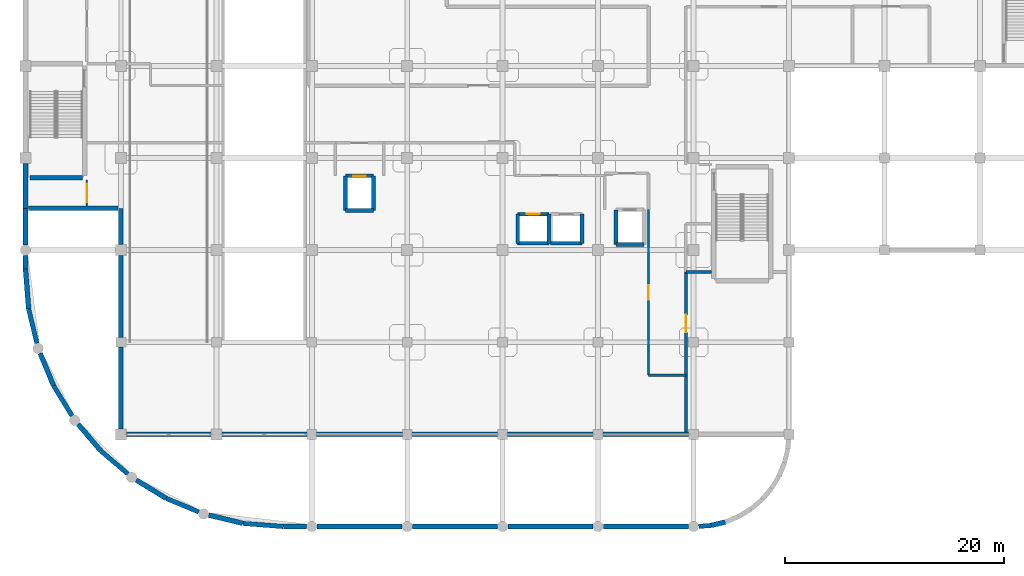
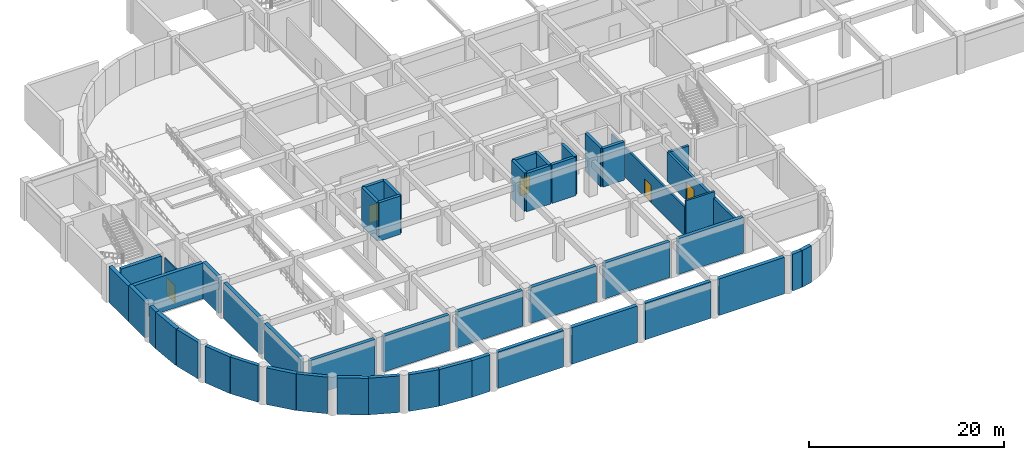
# One storey, part 10 of 19: 49 walls, 5 doors, 5 openings.
"""IFC4 building model written with IfcOpenShell, lengths in metres."""

from ifc_helpers import new_model, si_unit, derived_unit, direction, frame, frame_2d, origin, place, context, subcontext, project, spatial, rectangle, extrude, material, layer, layer_set, type_object, element, fill, save


model = new_model("IFC4")

# Units and contexts
model_context = context("Model", 3, precision=1e-05, world=origin(), true_north=direction((0.0, 1.0)))
body_context = subcontext(model_context, "Body", "Model", "MODEL_VIEW")
ifc_project = project(units=[si_unit("LENGTHUNIT", "METRE"), si_unit("AREAUNIT", "SQUARE_METRE"), si_unit("VOLUMEUNIT", "CUBIC_METRE"), si_unit("PLANEANGLEUNIT", "RADIAN"), si_unit("MASSUNIT", "GRAM", prefix="KILO"), derived_unit("THERMALTRANSMITTANCEUNIT", [(si_unit("MASSUNIT", "GRAM", prefix="KILO"), 1), (si_unit("TIMEUNIT", "SECOND"), -3), (si_unit("THERMODYNAMICTEMPERATUREUNIT", "KELVIN"), -1)])], contexts=[model_context])

# Site, building, storey
site_placement = place(None, origin())
site = spatial("IfcSite", under=ifc_project, at=site_placement, CompositionType="ELEMENT")
building_placement = place(site_placement, origin())
building = spatial("IfcBuilding", under=site, at=building_placement, Name="Qinzheling Arcade Emporium", CompositionType="ELEMENT")
storey_placement = place(building_placement, frame((0.0, 0.0, -4.800048828125)))
storey = spatial("IfcBuildingStorey", under=building, at=storey_placement, Name="B1", CompositionType="ELEMENT", Elevation=-4.800048828125)

# Wall
ifc_material_1 = material(Name="Double-stud acoustic gypsum board partition")
ifc_layer_1 = layer(ifc_material_1, 0.215087890625, Name="Double-stud acoustic gypsum board partition")
ifc_layer_set_1 = layer_set([ifc_layer_1], Name="Double-stud acoustic gypsum board partition")
wall_type_1 = type_object("IfcWallType", Name="Acoustic Corridor Partition Wall 215", PredefinedType="PARTITIONING", material=ifc_layer_set_1)
wall_1_placement = place(storey_placement, frame((60.199951171875, 13.800048828125, 0.0), z_axis=(0.0, 0.0, 1.0), x_axis=(-1.0, 0.0, 0.0)))
element("IfcWall", 1, at=wall_1_placement, inside=storey, type_object=wall_type_1, Name="Interior Wall WL-B1-INT-0026", PredefinedType="PARTITIONING", context=body_context, shape_type="SweptSolid", body=[
    extrude(rectangle(XDim=3.39990234375, YDim=0.215087890625, at=frame_2d((1.699951171875, 0.0))), origin(), (0.0, 0.0, 1.0), 4.43994140625),
])

# Wall, opening, door
wall_2_placement = place(storey_placement, frame((56.800048828125, 13.800048828125, 0.0), z_axis=(0.0, 0.0, 1.0), x_axis=(0.0, 1.0, 0.0)))
wall_2 = element("IfcWall", 2, at=wall_2_placement, inside=storey, type_object=wall_type_1, Name="Interior Wall WL-B1-INT-0027", PredefinedType="PARTITIONING", context=body_context, shape_type="SweptSolid", body=[
    extrude(rectangle(XDim=15.079833984375, YDim=0.215087890625, at=frame_2d((7.5400390625, 0.0))), origin(), (0.0, 0.0, 1.0), 3.650146484375),
])
opening_1_placement = place(wall_2_placement, frame((6.864990234375, 0.0, 0.0)))
opening_1 = element("IfcOpeningElement", 3, at=opening_1_placement, cuts=wall_2, Name="Opening FD05", PredefinedType="OPENING", context=body_context, shape_type="SweptSolid", body=[
    extrude(rectangle(XDim=1.35009765625, YDim=2.199951171875, at=frame_2d((0.675048828125, 1.10009765625))), frame((0.0, 0.11767578125, 0.0), z_axis=(0.0, -1.0, 0.0), x_axis=(1.0, 0.0, 0.0)), (0.0, 0.0, 1.0), 0.235107421875),
])
ifc_material_2 = material(Name="Class B fire-rated stainless-clad door")
door_type_1 = type_object("IfcDoorType", Name="Kitchen Fire-Rated Service Door 1350x2200", OperationType="NOTDEFINED", PredefinedType="DOOR", material=ifc_material_2)
door_1_placement = place(opening_1_placement, origin())
door_1 = element("IfcDoor", 4, at=door_1_placement, inside=storey, type_object=door_type_1, Name="FD05 Interior Door DR-B1-INT-0010", OperationType="SINGLE_SWING_RIGHT", OverallHeight=2.199951171875, OverallWidth=1.35009765625, PredefinedType="DOOR", context=body_context, shape_type="SweptSolid", body=[
    extrude(rectangle(XDim=1.35009765625, YDim=2.199951171875, at=frame_2d((0.675048828125, 1.10009765625))), frame((0.0, 0.02490234375, 0.0), z_axis=(0.0, -1.0, 0.0), x_axis=(1.0, 0.0, 0.0)), (0.0, 0.0, 1.0), 0.050048828125),
])
fill(opening_1, door_1)

ifc_material_3 = material(Name="Lightweight atelier partition")
ifc_layer_2 = layer(ifc_material_3, 0.14990234375, Name="Lightweight atelier partition")
ifc_layer_set_2 = layer_set([ifc_layer_2], Name="Lightweight atelier partition")
wall_type_2 = type_object("IfcWallType", Name="Atelier Partition Wall 150", PredefinedType="PARTITIONING", material=ifc_layer_set_2)
wall_3_placement = place(storey_placement, frame((5.590087890625, 31.60009765625, 0.0), z_axis=(0.0, 0.0, 1.0), x_axis=(0.0, -1.0, 0.0)))
wall_3 = element("IfcWall", 5, at=wall_3_placement, inside=storey, type_object=wall_type_2, Name="Interior Wall WL-B1-INT-0034", PredefinedType="PARTITIONING", context=body_context, shape_type="SweptSolid", body=[
    extrude(rectangle(XDim=2.39013671875, YDim=0.14990234375, at=frame_2d((1.195068359375, 0.0))), origin(), (0.0, 0.0, 1.0), 4.43994140625),
])
opening_2_placement = place(wall_3_placement, frame((0.344970703125, 0.0, 0.0)))
opening_2 = element("IfcOpeningElement", 6, at=opening_2_placement, cuts=wall_3, Name="Opening D14", PredefinedType="OPENING", context=body_context, shape_type="SweptSolid", body=[
    extrude(rectangle(XDim=1.699951171875, YDim=2.199951171875, at=frame_2d((0.85009765625, 1.10009765625))), frame((0.0, 0.0849609375, 0.0), z_axis=(0.0, -1.0, 0.0), x_axis=(1.0, 0.0, 0.0)), (0.0, 0.0, 1.0), 0.169921875),
])
ifc_material_4 = material(Name="Powder-coated steel utility door", Category="steel")
door_type_2 = type_object("IfcDoorType", Name="Bicycle Store Double Door 1700x2200", OperationType="DOUBLE_DOOR_SINGLE_SWING", PredefinedType="DOOR", material=ifc_material_4)
door_2_placement = place(opening_2_placement, origin())
door_2 = element("IfcDoor", 7, at=door_2_placement, inside=storey, type_object=door_type_2, Name="D14 Interior Door DR-B1-INT-0012", OperationType="DOUBLE_DOOR_SINGLE_SWING", OverallHeight=2.199951171875, OverallWidth=1.699951171875, PredefinedType="DOOR", context=body_context, shape_type="SweptSolid", body=[
    extrude(rectangle(XDim=1.699951171875, YDim=2.199951171875, at=frame_2d((0.85009765625, 1.10009765625))), frame((0.0, 0.02490234375, 0.0), z_axis=(0.0, -1.0, 0.0), x_axis=(1.0, 0.0, 0.0)), (0.0, 0.0, 1.0), 0.050048828125),
])
fill(opening_2, door_2)

# Walls
ifc_material_5 = material(Name="Concrete C40", Category="concrete")
ifc_layer_3 = layer(ifc_material_5, 0.419921875, Name="Concrete C40", Category="concrete")
ifc_layer_set_3 = layer_set([ifc_layer_3], Name="Concrete C40")
wall_type_3 = type_object("IfcWallType", Name="Basement Ramp Retaining Wall 420 C40", PredefinedType="USERDEFINED", material=ifc_layer_set_3)
wall_4_placement = place(storey_placement, frame((62.513916015625, 0.10302734375, 0.0), z_axis=(0.0, 0.0, 1.0), x_axis=(-0.996942630005, -0.078137010941, 0.0)))
element("IfcWall", 8, at=wall_4_placement, inside=storey, type_object=wall_type_3, Name="Retaining Wall WL-B1-RW-178", ObjectType="RETAININGWALL", PredefinedType="USERDEFINED", context=body_context, shape_type="SweptSolid", body=[
    extrude(rectangle(XDim=1.140380859375, YDim=0.419921875, at=frame_2d((0.5703125, 0.0))), origin(), (0.0, 0.0, 1.0), 4.580078125),
])
wall_5_placement = place(storey_placement, frame((51.722900390625, 0.0, 0.0), z_axis=(0.0, 0.0, 1.0), x_axis=(-1.0, 0.0, 0.0)))
element("IfcWall", 9, at=wall_5_placement, inside=storey, type_object=wall_type_3, Name="Retaining Wall WL-B1-RW-180", ObjectType="RETAININGWALL", PredefinedType="USERDEFINED", context=body_context, shape_type="SweptSolid", body=[
    extrude(rectangle(XDim=7.745849609375, YDim=0.419921875, at=frame_2d((3.873046875, 0.0))), origin(), (0.0, 0.0, 1.0), 4.580078125),
])
wall_6_placement = place(storey_placement, frame((34.322998046875, 0.0, 0.0), z_axis=(0.0, 0.0, 1.0), x_axis=(-1.0, 0.0, 0.0)))
element("IfcWall", 10, at=wall_6_placement, inside=storey, type_object=wall_type_3, Name="Retaining Wall WL-B1-RW-182", ObjectType="RETAININGWALL", PredefinedType="USERDEFINED", context=body_context, shape_type="SweptSolid", body=[
    extrude(rectangle(XDim=7.74609375, YDim=0.419921875, at=frame_2d((3.873046875, 0.0))), origin(), (0.0, 0.0, 1.0), 4.580078125),
])
wall_7_placement = place(storey_placement, frame((23.5, 0.0, 0.0), z_axis=(0.0, 0.0, 1.0), x_axis=(-0.996922570338, 0.078392529938, 0.0)))
element("IfcWall", 11, at=wall_7_placement, inside=storey, type_object=wall_type_3, Name="Retaining Wall WL-B1-RW-184", ObjectType="RETAININGWALL", PredefinedType="USERDEFINED", context=body_context, shape_type="SweptSolid", body=[
    extrude(rectangle(XDim=3.687255859375, YDim=0.419921875, at=frame_2d((1.84375, 0.0))), origin(), (0.0, 0.0, 1.0), 4.580078125),
])
for number, where, z_axis, x_axis, name in (
    (12, (15.797119140625, 1.3330078125, 0.0), (0.0, 0.0, 1.0), (-0.923940840617, 0.382535387958, 0.0), "Retaining Wall WL-B1-RW-186"),
    (13, (9.323974609375, 4.798095703125, 0.0), (0.0, 0.0, 1.0), (-0.760372113248, 0.64948768225, 0.0), "Retaining Wall WL-B1-RW-188"),
):
    element("IfcWall", number, at=place(storey_placement, frame(where, z_axis=z_axis, x_axis=x_axis)), inside=storey, type_object=wall_type_3, Name=name, ObjectType="RETAININGWALL", PredefinedType="USERDEFINED", context=body_context, shape_type="SweptSolid", body=[
        extrude(rectangle(XDim=3.210205078125, YDim=0.419921875, at=frame_2d((1.60498046875, 0.0))), origin(), (0.0, 0.0, 1.0), 4.580078125),
    ])
wall_8_placement = place(storey_placement, frame((4.239013671875, 10.093994140625, 0.0), z_axis=(0.0, 0.0, 1.0), x_axis=(-0.52265834778, 0.85254222857, 0.0)))
element("IfcWall", 14, at=wall_8_placement, inside=storey, type_object=wall_type_3, Name="Retaining Wall WL-B1-RW-190", ObjectType="RETAININGWALL", PredefinedType="USERDEFINED", context=body_context, shape_type="SweptSolid", body=[
    extrude(rectangle(XDim=3.21044921875, YDim=0.419921875, at=frame_2d((1.605224609375, 0.0))), origin(), (0.0, 0.0, 1.0), 4.580078125),
])
wall_9_placement = place(storey_placement, frame((1.0390625, 16.701904296875, 0.0), z_axis=(0.0, 0.0, 1.0), x_axis=(-0.233580002075, 0.972337586762, 0.0)))
element("IfcWall", 15, at=wall_9_placement, inside=storey, type_object=wall_type_3, Name="Retaining Wall WL-B1-RW-192", ObjectType="RETAININGWALL", PredefinedType="USERDEFINED", context=body_context, shape_type="SweptSolid", body=[
    extrude(rectangle(XDim=3.2109375, YDim=0.419921875, at=frame_2d((1.60546875, 0.0))), origin(), (0.0, 0.0, 1.0), 4.580078125),
])
wall_10_placement = place(storey_placement, frame((0.0, 23.5, 0.0), z_axis=(0.0, 0.0, 1.0), x_axis=(0.0, 1.0, 0.0)))
element("IfcWall", 16, at=wall_10_placement, inside=storey, type_object=wall_type_3, Name="Retaining Wall WL-B1-RW-194", ObjectType="RETAININGWALL", PredefinedType="USERDEFINED", context=body_context, shape_type="SweptSolid", body=[
    extrude(rectangle(XDim=1.222900390625, YDim=0.419921875, at=frame_2d((0.611328125, 0.0))), origin(), (0.0, 0.0, 1.0), 4.580078125),
])
wall_11_placement = place(storey_placement, frame((0.0, 29.0, 0.0), z_axis=(0.0, 0.0, 1.0), x_axis=(0.0, 1.0, 0.0)))
element("IfcWall", 17, at=wall_11_placement, inside=storey, type_object=wall_type_3, Name="Retaining Wall WL-B1-RW-196", ObjectType="RETAININGWALL", PredefinedType="USERDEFINED", context=body_context, shape_type="SweptSolid", body=[
    extrude(rectangle(XDim=4.097900390625, YDim=0.419921875, at=frame_2d((2.048828125, 0.0))), origin(), (0.0, 0.0, 1.0), 4.4599609375),
])
ifc_layer_4 = layer(ifc_material_5, 0.409912109375, Name="Concrete C40", Category="concrete")
ifc_layer_set_4 = layer_set([ifc_layer_4], Name="Concrete C40")
wall_type_4 = type_object("IfcWallType", Name="Interior Basement Retaining Wall 410 C40", PredefinedType="USERDEFINED", material=ifc_layer_set_4)
wall_12_placement = place(storey_placement, frame((8.699951171875, 8.902099609375, 0.0), z_axis=(0.0, 0.0, 1.0), x_axis=(0.0, 1.0, 0.0)))
element("IfcWall", 18, at=wall_12_placement, inside=storey, type_object=wall_type_4, Name="Internal Basement Retaining Wall WL-B1-RW-298", ObjectType="RETAININGWALL", PredefinedType="USERDEFINED", context=body_context, shape_type="SweptSolid", body=[
    extrude(rectangle(XDim=7.44580078125, YDim=0.409912109375, at=frame_2d((3.722900390625, 0.0))), origin(), (0.0, 0.0, 1.0), 4.4599609375),
])
wall_13_placement = place(storey_placement, frame((8.699951171875, 17.251953125, 0.0), z_axis=(0.0, 0.0, 1.0), x_axis=(0.0, 1.0, 0.0)))
element("IfcWall", 19, at=wall_13_placement, inside=storey, type_object=wall_type_4, Name="Internal Basement Retaining Wall WL-B1-RW-299", ObjectType="RETAININGWALL", PredefinedType="USERDEFINED", context=body_context, shape_type="SweptSolid", body=[
    extrude(rectangle(XDim=7.446044921875, YDim=0.409912109375, at=frame_2d((3.72314453125, 0.0))), origin(), (0.0, 0.0, 1.0), 4.4599609375),
])
wall_14_placement = place(storey_placement, frame((8.699951171875, 25.701904296875, 0.0), z_axis=(0.0, 0.0, 1.0), x_axis=(0.0, 1.0, 0.0)))
element("IfcWall", 20, at=wall_14_placement, inside=storey, type_object=wall_type_4, Name="Internal Basement Retaining Wall WL-B1-RW-300", ObjectType="RETAININGWALL", PredefinedType="USERDEFINED", context=body_context, shape_type="SweptSolid", body=[
    extrude(rectangle(XDim=3.298095703125, YDim=0.409912109375, at=frame_2d((1.64892578125, 0.0))), origin(), (0.0, 0.0, 1.0), 4.4599609375),
])
wall_15_placement = place(storey_placement, frame((8.455078125, 29.0, 0.0), z_axis=(0.0, 0.0, 1.0), x_axis=(-1.0, 0.0, 0.0)))
element("IfcWall", 21, at=wall_15_placement, inside=storey, type_object=wall_type_4, Name="Internal Basement Retaining Wall WL-B1-RW-301", ObjectType="RETAININGWALL", PredefinedType="USERDEFINED", context=body_context, shape_type="SweptSolid", body=[
    extrude(rectangle(XDim=8.190185546875, YDim=0.409912109375, at=frame_2d((4.09521484375, 0.0))), origin(), (0.0, 0.0, 1.0), 4.4599609375),
])
wall_16_placement = place(storey_placement, frame((60.447998046875, 8.39990234375, 0.0), z_axis=(0.0, 0.0, 1.0), x_axis=(-1.0, 0.0, 0.0)))
element("IfcWall", 22, at=wall_16_placement, inside=storey, type_object=wall_type_4, Name="Internal Basement Retaining Wall WL-B1-RW-327", ObjectType="RETAININGWALL", PredefinedType="USERDEFINED", context=body_context, shape_type="SweptSolid", body=[
    extrude(rectangle(XDim=7.7958984375, YDim=0.409912109375, at=frame_2d((3.89794921875, 0.0))), origin(), (0.0, 0.0, 1.0), 4.4599609375),
])
for number, where, z_axis, x_axis, name in (
    (23, (51.748046875, 8.39990234375, 0.0), (0.0, 0.0, 1.0), (-1.0, 0.0, 0.0), "Internal Basement Retaining Wall WL-B1-RW-328"),
    (24, (43.048095703125, 8.39990234375, 0.0), (0.0, 0.0, 1.0), (-1.0, 0.0, 0.0), "Internal Basement Retaining Wall WL-B1-RW-329"),
):
    element("IfcWall", number, at=place(storey_placement, frame(where, z_axis=z_axis, x_axis=x_axis)), inside=storey, type_object=wall_type_4, Name=name, ObjectType="RETAININGWALL", PredefinedType="USERDEFINED", context=body_context, shape_type="SweptSolid", body=[
        extrude(rectangle(XDim=7.796142578125, YDim=0.409912109375, at=frame_2d((3.89794921875, 0.0))), origin(), (0.0, 0.0, 1.0), 4.4599609375),
    ])
wall_17_placement = place(storey_placement, frame((34.347900390625, 8.39990234375, 0.0), z_axis=(0.0, 0.0, 1.0), x_axis=(-1.0, 0.0, 0.0)))
element("IfcWall", 25, at=wall_17_placement, inside=storey, type_object=wall_type_4, Name="Internal Basement Retaining Wall WL-B1-RW-330", ObjectType="RETAININGWALL", PredefinedType="USERDEFINED", context=body_context, shape_type="SweptSolid", body=[
    extrude(rectangle(XDim=7.7958984375, YDim=0.409912109375, at=frame_2d((3.89794921875, 0.0))), origin(), (0.0, 0.0, 1.0), 4.4599609375),
])
wall_18_placement = place(storey_placement, frame((25.64794921875, 8.39990234375, 0.0), z_axis=(0.0, 0.0, 1.0), x_axis=(-1.0, 0.0, 0.0)))
element("IfcWall", 26, at=wall_18_placement, inside=storey, type_object=wall_type_4, Name="Internal Basement Retaining Wall WL-B1-RW-331", ObjectType="RETAININGWALL", PredefinedType="USERDEFINED", context=body_context, shape_type="SweptSolid", body=[
    extrude(rectangle(XDim=7.745849609375, YDim=0.409912109375, at=frame_2d((3.873046875, 0.0))), origin(), (0.0, 0.0, 1.0), 4.4599609375),
])
wall_19_placement = place(storey_placement, frame((16.89794921875, 8.39990234375, 0.0), z_axis=(0.0, 0.0, 1.0), x_axis=(-1.0, 0.0, 0.0)))
element("IfcWall", 27, at=wall_19_placement, inside=storey, type_object=wall_type_4, Name="Internal Basement Retaining Wall WL-B1-RW-332", ObjectType="RETAININGWALL", PredefinedType="USERDEFINED", context=body_context, shape_type="SweptSolid", body=[
    extrude(rectangle(XDim=7.696044921875, YDim=0.409912109375, at=frame_2d((3.84814453125, 0.0))), origin(), (0.0, 0.0, 1.0), 4.4599609375),
])
ifc_layer_5 = layer(ifc_material_5, 0.35009765625, Name="Concrete C40", Category="concrete")
ifc_layer_set_5 = layer_set([ifc_layer_5], Name="Concrete C40")
wall_type_5 = type_object("IfcWallType", Name="RC Lift Shaft Shear Wall 350 C40", PredefinedType="SHEAR", material=ifc_layer_set_5)
wall_20_placement = place(storey_placement, frame((56.375, 25.72509765625, 0.0), z_axis=(0.0, 0.0, 1.0), x_axis=(-1.0, 0.0, 0.0)))
element("IfcWall", 28, at=wall_20_placement, inside=storey, type_object=wall_type_5, Name="Lift Shaft Wall WL-B1-LFT-LF01-S", PredefinedType="SHEAR", context=body_context, shape_type="SweptSolid", body=[
    extrude(rectangle(XDim=2.550048828125, YDim=0.35009765625, at=frame_2d((1.27490234375, 0.0))), origin(), (0.0, 0.0, 1.0), 4.800048828125),
])
wall_21_placement = place(storey_placement, frame((53.824951171875, 25.72509765625, 0.0), z_axis=(0.0, 0.0, 1.0), x_axis=(0.0, 1.0, 0.0)))
element("IfcWall", 29, at=wall_21_placement, inside=storey, type_object=wall_type_5, Name="Lift Shaft Wall WL-B1-LFT-LF01-W", PredefinedType="SHEAR", context=body_context, shape_type="SweptSolid", body=[
    extrude(rectangle(XDim=3.14990234375, YDim=0.35009765625, at=frame_2d((1.574951171875, 0.0))), origin(), (0.0, 0.0, 1.0), 4.800048828125),
])

# Wall, opening, door
wall_22_placement = place(storey_placement, frame((29.175048828125, 31.97509765625, 0.0), z_axis=(0.0, 0.0, 1.0), x_axis=(1.0, 0.0, 0.0)))
wall_22 = element("IfcWall", 30, at=wall_22_placement, inside=storey, type_object=wall_type_5, Name="Lift Shaft Wall WL-B1-LFT-LF02-N", PredefinedType="SHEAR", context=body_context, shape_type="SweptSolid", body=[
    extrude(rectangle(XDim=2.550048828125, YDim=0.35009765625, at=frame_2d((1.27490234375, 0.0))), origin(), (0.0, 0.0, 1.0), 4.800048828125),
])
opening_3_placement = place(wall_22_placement, frame((0.72509765625, 0.0, 0.0)))
opening_3 = element("IfcOpeningElement", 31, at=opening_3_placement, cuts=wall_22, Name="Opening LD01", PredefinedType="OPENING", context=body_context, shape_type="SweptSolid", body=[
    extrude(rectangle(XDim=1.10009765625, YDim=2.199951171875, at=frame_2d((0.550048828125, 1.10009765625))), frame((0.0, 0.18505859375, 0.0), z_axis=(0.0, -1.0, 0.0), x_axis=(1.0, 0.0, 0.0)), (0.0, 0.0, 1.0), 0.3701171875),
])
ifc_material_6 = material(Name="Fire-rated stainless steel sliding lift door", Category="steel")
door_type_3 = type_object("IfcDoorType", Name="Firefighting Lift Sliding Landing Door 1100x2200", OperationType="DOUBLE_DOOR_SLIDING", PredefinedType="DOOR", material=ifc_material_6)
door_3_placement = place(opening_3_placement, origin())
door_3 = element("IfcDoor", 32, at=door_3_placement, inside=storey, type_object=door_type_3, Name="LD01 Lift Landing Door LF02 B1", OperationType="DOUBLE_DOOR_SLIDING", OverallHeight=2.199951171875, OverallWidth=1.10009765625, PredefinedType="DOOR", context=body_context, shape_type="SweptSolid", body=[
    extrude(rectangle(XDim=1.10009765625, YDim=2.199951171875, at=frame_2d((0.550048828125, 1.10009765625))), frame((0.0, 0.02490234375, 0.0), z_axis=(0.0, -1.0, 0.0), x_axis=(1.0, 0.0, 0.0)), (0.0, 0.0, 1.0), 0.050048828125),
])
fill(opening_3, door_3)

# Walls
wall_23_placement = place(storey_placement, frame((31.72509765625, 28.824951171875, 0.0), z_axis=(0.0, 0.0, 1.0), x_axis=(-1.0, 0.0, 0.0)))
element("IfcWall", 33, at=wall_23_placement, inside=storey, type_object=wall_type_5, Name="Lift Shaft Wall WL-B1-LFT-LF02-S", PredefinedType="SHEAR", context=body_context, shape_type="SweptSolid", body=[
    extrude(rectangle(XDim=2.550048828125, YDim=0.35009765625, at=frame_2d((1.27490234375, 0.0))), origin(), (0.0, 0.0, 1.0), 4.800048828125),
])
for number, where, z_axis, x_axis, name in (
    (34, (29.175048828125, 28.824951171875, 0.0), (0.0, 0.0, 1.0), (0.0, 1.0, 0.0), "Lift Shaft Wall WL-B1-LFT-LF02-W"),
    (35, (31.72509765625, 31.97509765625, 0.0), (0.0, 0.0, 1.0), (0.0, -1.0, 0.0), "Lift Shaft Wall WL-B1-LFT-LF02-E"),
):
    element("IfcWall", number, at=place(storey_placement, frame(where, z_axis=z_axis, x_axis=x_axis)), inside=storey, type_object=wall_type_5, Name=name, PredefinedType="SHEAR", context=body_context, shape_type="SweptSolid", body=[
        extrude(rectangle(XDim=3.150146484375, YDim=0.35009765625, at=frame_2d((1.5751953125, 0.0))), origin(), (0.0, 0.0, 1.0), 4.800048828125),
    ])

# Wall, opening, door
wall_24_placement = place(storey_placement, frame((44.875, 28.47509765625, 0.0), z_axis=(0.0, 0.0, 1.0), x_axis=(1.0, 0.0, 0.0)))
wall_24 = element("IfcWall", 36, at=wall_24_placement, inside=storey, type_object=wall_type_5, Name="Lift Shaft Wall WL-B1-LFT-LP01-N", PredefinedType="SHEAR", context=body_context, shape_type="SweptSolid", body=[
    extrude(rectangle(XDim=2.85009765625, YDim=0.35009765625, at=frame_2d((1.425048828125, 0.0))), origin(), (0.0, 0.0, 1.0), 4.800048828125),
])
opening_4_placement = place(wall_24_placement, frame((0.824951171875, 0.0, 0.0)))
opening_4 = element("IfcOpeningElement", 37, at=opening_4_placement, cuts=wall_24, Name="Opening LD02", PredefinedType="OPENING", context=body_context, shape_type="SweptSolid", body=[
    extrude(rectangle(XDim=1.199951171875, YDim=2.199951171875, at=frame_2d((0.60009765625, 1.10009765625))), frame((0.0, 0.18505859375, 0.0), z_axis=(0.0, -1.0, 0.0), x_axis=(1.0, 0.0, 0.0)), (0.0, 0.0, 1.0), 0.3701171875),
])
ifc_material_7 = material(Name="Brushed bronze stainless sliding lift door")
door_type_4 = type_object("IfcDoorType", Name="Passenger Lift Sliding Landing Door 1200x2200", OperationType="DOUBLE_DOOR_SLIDING", PredefinedType="DOOR", material=ifc_material_7)
door_4_placement = place(opening_4_placement, origin())
door_4 = element("IfcDoor", 38, at=door_4_placement, inside=storey, type_object=door_type_4, Name="LD02 Lift Landing Door LP01 B1", OperationType="DOUBLE_DOOR_SLIDING", OverallHeight=2.199951171875, OverallWidth=1.199951171875, PredefinedType="DOOR", context=body_context, shape_type="SweptSolid", body=[
    extrude(rectangle(XDim=1.199951171875, YDim=2.199951171875, at=frame_2d((0.60009765625, 1.10009765625))), frame((0.0, 0.02490234375, 0.0), z_axis=(0.0, -1.0, 0.0), x_axis=(1.0, 0.0, 0.0)), (0.0, 0.0, 1.0), 0.050048828125),
])
fill(opening_4, door_4)

# Walls
wall_25_placement = place(storey_placement, frame((47.72509765625, 25.824951171875, 0.0), z_axis=(0.0, 0.0, 1.0), x_axis=(-1.0, 0.0, 0.0)))
element("IfcWall", 39, at=wall_25_placement, inside=storey, type_object=wall_type_5, Name="Lift Shaft Wall WL-B1-LFT-LP01-S", PredefinedType="SHEAR", context=body_context, shape_type="SweptSolid", body=[
    extrude(rectangle(XDim=2.85009765625, YDim=0.35009765625, at=frame_2d((1.425048828125, 0.0))), origin(), (0.0, 0.0, 1.0), 4.800048828125),
])
for number, where, z_axis, x_axis, name in (
    (40, (44.875, 25.824951171875, 0.0), (0.0, 0.0, 1.0), (0.0, 1.0, 0.0), "Lift Shaft Wall WL-B1-LFT-LP01-W"),
    (41, (47.72509765625, 28.47509765625, 0.0), (0.0, 0.0, 1.0), (0.0, -1.0, 0.0), "Lift Shaft Wall WL-B1-LFT-LP01-E"),
):
    element("IfcWall", number, at=place(storey_placement, frame(where, z_axis=z_axis, x_axis=x_axis)), inside=storey, type_object=wall_type_5, Name=name, PredefinedType="SHEAR", context=body_context, shape_type="SweptSolid", body=[
        extrude(rectangle(XDim=2.650146484375, YDim=0.35009765625, at=frame_2d((1.3251953125, 0.0))), origin(), (0.0, 0.0, 1.0), 4.800048828125),
    ])
wall_26_placement = place(storey_placement, frame((50.72509765625, 25.824951171875, 0.0), z_axis=(0.0, 0.0, 1.0), x_axis=(-1.0, 0.0, 0.0)))
element("IfcWall", 42, at=wall_26_placement, inside=storey, type_object=wall_type_5, Name="Lift Shaft Wall WL-B1-LFT-LP02-S", PredefinedType="SHEAR", context=body_context, shape_type="SweptSolid", body=[
    extrude(rectangle(XDim=2.85009765625, YDim=0.35009765625, at=frame_2d((1.425048828125, 0.0))), origin(), (0.0, 0.0, 1.0), 4.800048828125),
])
wall_27_placement = place(storey_placement, frame((50.72509765625, 28.47509765625, 0.0), z_axis=(0.0, 0.0, 1.0), x_axis=(0.0, -1.0, 0.0)))
element("IfcWall", 43, at=wall_27_placement, inside=storey, type_object=wall_type_5, Name="Lift Shaft Wall WL-B1-LFT-LP02-E", PredefinedType="SHEAR", context=body_context, shape_type="SweptSolid", body=[
    extrude(rectangle(XDim=2.650146484375, YDim=0.35009765625, at=frame_2d((1.3251953125, 0.0))), origin(), (0.0, 0.0, 1.0), 4.800048828125),
])
ifc_material_8 = material(Name="Concrete C50", Category="concrete")
ifc_layer_6 = layer(ifc_material_8, 0.39990234375, Name="Concrete C50", Category="concrete")
ifc_layer_set_6 = layer_set([ifc_layer_6], Name="Concrete C50")
wall_type_6 = type_object("IfcWallType", Name="RC Stair Core Shear Wall 400 C50", PredefinedType="SHEAR", material=ifc_layer_set_6)
wall_28_placement = place(storey_placement, frame((5.18994140625, 31.800048828125, 0.0), z_axis=(0.0, 0.0, 1.0), x_axis=(-1.0, 0.0, 0.0)))
element("IfcWall", 44, at=wall_28_placement, inside=storey, type_object=wall_type_6, Name="Stair Core Wall WL-B1-ST02-SOUTH", PredefinedType="SHEAR", context=body_context, shape_type="SweptSolid", body=[
    extrude(rectangle(XDim=4.7900390625, YDim=0.39990234375, at=frame_2d((2.39501953125, 0.0))), origin(), (0.0, 0.0, 1.0), 4.800048828125),
])

# Wall, opening, door
ifc_material_9 = material(Name="Autoclaved aerated concrete masonry with fire plaster", Category="masonry")
ifc_layer_7 = layer(ifc_material_9, 0.284912109375, Name="Autoclaved aerated concrete masonry with fire plaster", Category="masonry")
ifc_layer_set_7 = layer_set([ifc_layer_7], Name="Autoclaved aerated concrete masonry with fire plaster")
wall_type_7 = type_object("IfcWallType", Name="Stockroom and Plant Fire Wall 285", PredefinedType="STANDARD", material=ifc_layer_set_7)
wall_29_placement = place(storey_placement, frame((60.199951171875, 23.199951171875, 0.0), z_axis=(0.0, 0.0, 1.0), x_axis=(0.0, -1.0, 0.0)))
wall_29 = element("IfcWall", 45, at=wall_29_placement, inside=storey, type_object=wall_type_7, Name="Interior Wall WL-B1-INT-0010", PredefinedType="STANDARD", context=body_context, shape_type="SweptSolid", body=[
    extrude(rectangle(XDim=9.39990234375, YDim=0.284912109375, at=frame_2d((4.699951171875, 0.0))), origin(), (0.0, 0.0, 1.0), 3.650146484375),
])
opening_5_placement = place(wall_29_placement, frame((3.89990234375, 0.0, 0.0)))
opening_5 = element("IfcOpeningElement", 46, at=opening_5_placement, cuts=wall_29, Name="Opening FD04", PredefinedType="OPENING", context=body_context, shape_type="SweptSolid", body=[
    extrude(rectangle(XDim=1.60009765625, YDim=2.25, at=frame_2d((0.800048828125, 1.125))), frame((0.0, 0.15234375, 0.0), z_axis=(0.0, -1.0, 0.0), x_axis=(1.0, 0.0, 0.0)), (0.0, 0.0, 1.0), 0.304931640625),
])
ifc_material_10 = material(Name="Class A fire-rated steel double door", Category="steel")
door_type_5 = type_object("IfcDoorType", Name="Plant Room Fire Door 1600x2250", OperationType="DOUBLE_DOOR_SINGLE_SWING", PredefinedType="DOOR", material=ifc_material_10)
door_5_placement = place(opening_5_placement, origin())
door_5 = element("IfcDoor", 47, at=door_5_placement, inside=storey, type_object=door_type_5, Name="FD04 Interior Door DR-B1-INT-0005", OperationType="DOUBLE_DOOR_SINGLE_SWING", OverallHeight=2.25, OverallWidth=1.60009765625, PredefinedType="DOOR", context=body_context, shape_type="SweptSolid", body=[
    extrude(rectangle(XDim=1.60009765625, YDim=2.25, at=frame_2d((0.800048828125, 1.125))), frame((0.0, 0.02490234375, 0.0), z_axis=(0.0, -1.0, 0.0), x_axis=(1.0, 0.0, 0.0)), (0.0, 0.0, 1.0), 0.050048828125),
])
fill(opening_5, door_5)

# Walls
wall_30_placement = place(storey_placement, frame((60.199951171875, 23.199951171875, 0.0), z_axis=(0.0, 0.0, 1.0), x_axis=(1.0, 0.0, 0.0)))
element("IfcWall", 48, at=wall_30_placement, inside=storey, type_object=wall_type_7, Name="Interior Wall WL-B1-INT-0037", PredefinedType="STANDARD", context=body_context, shape_type="SweptSolid", body=[
    extrude(rectangle(XDim=2.344970703125, YDim=0.284912109375, at=frame_2d((1.17236328125, 0.0))), origin(), (0.0, 0.0, 1.0), 3.650146484375),
])
wall_31_placement = place(storey_placement, frame((60.199951171875, 8.610107421875, 0.0), z_axis=(0.0, 0.0, 1.0), x_axis=(0.0, 1.0, 0.0)))
element("IfcWall", 49, at=wall_31_placement, inside=storey, type_object=wall_type_7, Name="Interior Wall WL-B1-INT-0039", PredefinedType="STANDARD", context=body_context, shape_type="SweptSolid", body=[
    extrude(rectangle(XDim=5.18994140625, YDim=0.284912109375, at=frame_2d((2.594970703125, 0.0))), origin(), (0.0, 0.0, 1.0), 3.650146484375),
])
ifc_layer_8 = layer(ifc_material_5, 0.449951171875, Name="Concrete C40", Category="concrete")
ifc_layer_set_8 = layer_set([ifc_layer_8], Name="Concrete C40")
wall_type_8 = type_object("IfcWallType", Name="Waterproof Basement Retaining Wall 450 C40", PredefinedType="USERDEFINED", material=ifc_layer_set_8)
wall_32_placement = place(storey_placement, frame((63.7958984375, 0.410888671875, 0.0), z_axis=(0.0, 0.0, 1.0), x_axis=(-0.972355356444, -0.233506018754, 0.0)))
element("IfcWall", 50, at=wall_32_placement, inside=storey, type_object=wall_type_8, Name="Retaining Wall WL-B1-RW-177", ObjectType="RETAININGWALL", PredefinedType="USERDEFINED", context=body_context, shape_type="SweptSolid", body=[
    extrude(rectangle(XDim=1.318359375, YDim=0.449951171875, at=frame_2d((0.6591796875, 0.0))), origin(), (0.0, 0.0, 1.0), 4.580078125),
])
wall_33_placement = place(storey_placement, frame((60.423095703125, 0.0, 0.0), z_axis=(0.0, 0.0, 1.0), x_axis=(-1.0, 0.0, 0.0)))
element("IfcWall", 51, at=wall_33_placement, inside=storey, type_object=wall_type_8, Name="Retaining Wall WL-B1-RW-179", ObjectType="RETAININGWALL", PredefinedType="USERDEFINED", context=body_context, shape_type="SweptSolid", body=[
    extrude(rectangle(XDim=7.74609375, YDim=0.449951171875, at=frame_2d((3.873046875, 0.0))), origin(), (0.0, 0.0, 1.0), 4.580078125),
])
wall_34_placement = place(storey_placement, frame((43.02294921875, 0.0, 0.0), z_axis=(0.0, 0.0, 1.0), x_axis=(-1.0, 0.0, 0.0)))
element("IfcWall", 52, at=wall_34_placement, inside=storey, type_object=wall_type_8, Name="Retaining Wall WL-B1-RW-181", ObjectType="RETAININGWALL", PredefinedType="USERDEFINED", context=body_context, shape_type="SweptSolid", body=[
    extrude(rectangle(XDim=7.745849609375, YDim=0.449951171875, at=frame_2d((3.873046875, 0.0))), origin(), (0.0, 0.0, 1.0), 4.580078125),
])
wall_35_placement = place(storey_placement, frame((25.623046875, 0.0, 0.0), z_axis=(0.0, 0.0, 1.0), x_axis=(-1.0, 0.0, 0.0)))
element("IfcWall", 53, at=wall_35_placement, inside=storey, type_object=wall_type_8, Name="Retaining Wall WL-B1-RW-183", ObjectType="RETAININGWALL", PredefinedType="USERDEFINED", context=body_context, shape_type="SweptSolid", body=[
    extrude(rectangle(XDim=2.123046875, YDim=0.449951171875, at=frame_2d((1.0615234375, 0.0))), origin(), (0.0, 0.0, 1.0), 4.580078125),
])
wall_36_placement = place(storey_placement, frame((19.823974609375, 0.2890625, 0.0), z_axis=(0.0, 0.0, 1.0), x_axis=(-0.972337586762, 0.233580002075, 0.0)))
element("IfcWall", 54, at=wall_36_placement, inside=storey, type_object=wall_type_8, Name="Retaining Wall WL-B1-RW-185", ObjectType="RETAININGWALL", PredefinedType="USERDEFINED", context=body_context, shape_type="SweptSolid", body=[
    extrude(rectangle(XDim=3.2109375, YDim=0.449951171875, at=frame_2d((1.60546875, 0.0))), origin(), (0.0, 0.0, 1.0), 4.580078125),
])
wall_37_placement = place(storey_placement, frame((12.8310546875, 2.56103515625, 0.0), z_axis=(0.0, 0.0, 1.0), x_axis=(-0.85254222857, 0.52265834778, 0.0)))
element("IfcWall", 55, at=wall_37_placement, inside=storey, type_object=wall_type_8, Name="Retaining Wall WL-B1-RW-187", ObjectType="RETAININGWALL", PredefinedType="USERDEFINED", context=body_context, shape_type="SweptSolid", body=[
    extrude(rectangle(XDim=3.21044921875, YDim=0.449951171875, at=frame_2d((1.605224609375, 0.0))), origin(), (0.0, 0.0, 1.0), 4.580078125),
])
for number, where, z_axis, x_axis, name in (
    (56, (6.883056640625, 6.883056640625, 0.0), (0.0, 0.0, 1.0), (-0.64948768225, 0.760372113248, 0.0), "Retaining Wall WL-B1-RW-189"),
    (57, (2.56103515625, 12.8310546875, 0.0), (0.0, 0.0, 1.0), (-0.382535387958, 0.923940840617, 0.0), "Retaining Wall WL-B1-RW-191"),
):
    element("IfcWall", number, at=place(storey_placement, frame(where, z_axis=z_axis, x_axis=x_axis)), inside=storey, type_object=wall_type_8, Name=name, ObjectType="RETAININGWALL", PredefinedType="USERDEFINED", context=body_context, shape_type="SweptSolid", body=[
        extrude(rectangle(XDim=3.210205078125, YDim=0.449951171875, at=frame_2d((1.60498046875, 0.0))), origin(), (0.0, 0.0, 1.0), 4.580078125),
    ])
wall_38_placement = place(storey_placement, frame((0.2890625, 19.823974609375, 0.0), z_axis=(0.0, 0.0, 1.0), x_axis=(-0.078392529938, 0.996922570338, 0.0)))
element("IfcWall", 58, at=wall_38_placement, inside=storey, type_object=wall_type_8, Name="Retaining Wall WL-B1-RW-193", ObjectType="RETAININGWALL", PredefinedType="USERDEFINED", context=body_context, shape_type="SweptSolid", body=[
    extrude(rectangle(XDim=3.687255859375, YDim=0.449951171875, at=frame_2d((1.84375, 0.0))), origin(), (0.0, 0.0, 1.0), 4.580078125),
])
wall_39_placement = place(storey_placement, frame((0.0, 25.677001953125, 0.0), z_axis=(0.0, 0.0, 1.0), x_axis=(0.0, 1.0, 0.0)))
element("IfcWall", 59, at=wall_39_placement, inside=storey, type_object=wall_type_8, Name="Retaining Wall WL-B1-RW-195", ObjectType="RETAININGWALL", PredefinedType="USERDEFINED", context=body_context, shape_type="SweptSolid", body=[
    extrude(rectangle(XDim=3.322998046875, YDim=0.449951171875, at=frame_2d((1.66162109375, 0.0))), origin(), (0.0, 0.0, 1.0), 4.580078125),
])

save(model, "model.ifc")
